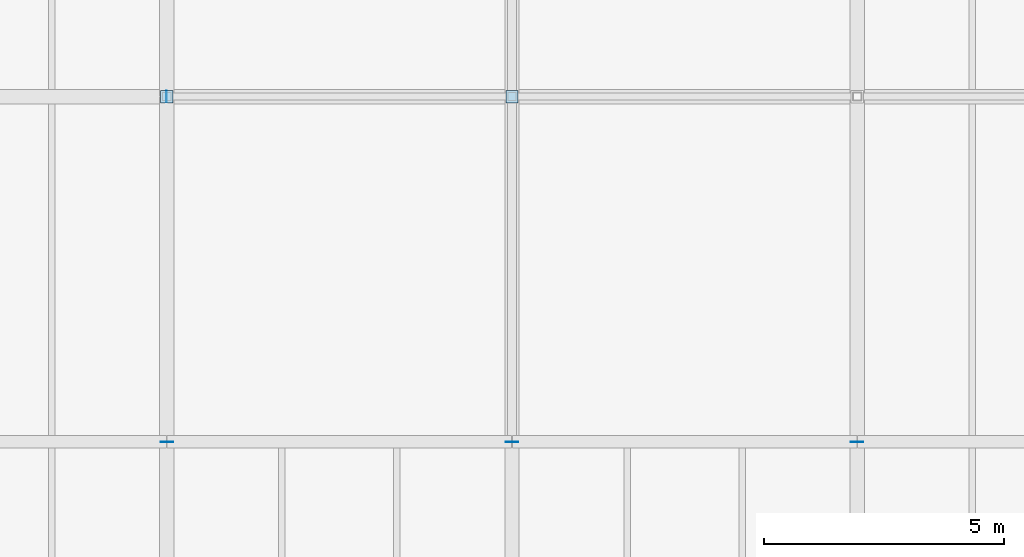
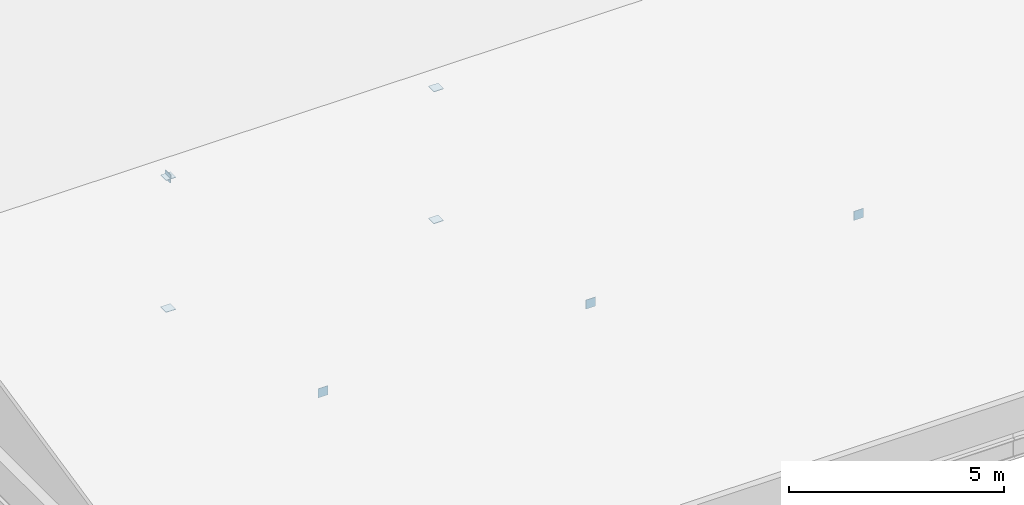
# One storey, part 39 of 66: 8 plates.
"""IFC4 building model written with IfcOpenShell, lengths in metres."""

import ifcopenshell
import ifcopenshell.guid

model = None  # the IFC model being written
_history = None  # IfcOwnerHistory: only IFC2X3 demands one
_inside = {}  # id of a spatial element -> (the spatial element, [elements in it])
_under = {}  # id of a project, library or spatial element -> (it, [spatial elements below it])
_declared = {}  # id of a project -> (the project, [libraries it declares])
_typed = {}  # id of a type object -> (the type object, [elements of that type])
_made_of = {}  # id of a material, layer set ... -> (it, [elements and type objects made of it])


def new_model(schema):
    """Start an empty IFC model of exactly this schema.

    Asked for "IFC4X3", IfcOpenShell would pick the latest addendum, in which some entities
    have other attributes; the version numbers below select the first issue.
    IFC2X3 requires an IfcOwnerHistory on every rooted entity: one is made here for all.
    """
    global model, _history
    if schema == "IFC4X3":
        model = ifcopenshell.file(schema_version=(4, 3, 0, 0))
    else:
        model = ifcopenshell.file(schema=schema)
    _inside.clear()
    _under.clear()
    _declared.clear()
    _typed.clear()
    _made_of.clear()
    _history = None
    if model.schema == "IFC2X3":
        org = make("IfcOrganization", Name="unknown")
        user = make(
            "IfcPersonAndOrganization",
            ThePerson=make("IfcPerson", FamilyName="unknown"),
            TheOrganization=org,
        )
        app = make(
            "IfcApplication",
            ApplicationDeveloper=org,
            Version="unknown",
            ApplicationFullName="unknown",
            ApplicationIdentifier="unknown",
        )
        _history = make(
            "IfcOwnerHistory",
            OwningUser=user,
            OwningApplication=app,
            ChangeAction="ADDED",
            CreationDate=0,
        )
    return model


def make(cls, **values):
    """One entity of the class cls with the attributes given. An attribute that is None is left unset."""
    return model.create_entity(
        cls, **{name: value for name, value in values.items() if value is not None}
    )


def rooted(cls, **values):
    """An entity with a GlobalId (a new one), such as an element, a storey or a relation."""
    return make(cls, GlobalId=ifcopenshell.guid.new(), OwnerHistory=_history, **values)


def si_unit(unit_type, name, prefix=None):
    """IfcSIUnit, for example si_unit("LENGTHUNIT", "METRE", prefix="MILLI")."""
    return make("IfcSIUnit", UnitType=unit_type, Prefix=prefix, Name=name)


def assignment(units):
    """IfcUnitAssignment: the units of a project."""
    return None if units is None else make("IfcUnitAssignment", Units=units)


def point(xyz):
    """IfcCartesianPoint."""
    return None if xyz is None else make("IfcCartesianPoint", Coordinates=xyz)


def direction(xyz):
    """IfcDirection."""
    return None if xyz is None else make("IfcDirection", DirectionRatios=xyz)


def frame(location, z_axis=None, x_axis=None):
    """IfcAxis2Placement3D, a coordinate frame: its origin and axes. An axis left out is left unset."""
    return make(
        "IfcAxis2Placement3D",
        Location=point(location),
        Axis=direction(z_axis),
        RefDirection=direction(x_axis),
    )


def frame_2d(location, x_axis=None):
    """IfcAxis2Placement2D, a coordinate frame in the plane: its origin and x axis."""
    return make(
        "IfcAxis2Placement2D", Location=point(location), RefDirection=direction(x_axis)
    )


def origin():
    """The frame at (0, 0, 0) with its axes left unset."""
    return frame((0.0, 0.0, 0.0))


def origin_2d():
    """The frame at (0, 0) in the plane with its x axis left unset."""
    return frame_2d((0.0, 0.0))


def place(relative_to, where):
    """IfcLocalPlacement: puts the frame where relative to a parent placement (None: the world)."""
    return make(
        "IfcLocalPlacement", PlacementRelTo=relative_to, RelativePlacement=where
    )


def context(
    kind, dimensions, precision=None, world=None, true_north=None, identifier=None
):
    """IfcGeometricRepresentationContext, for example the 3D "Model" context."""
    return make(
        "IfcGeometricRepresentationContext",
        ContextIdentifier=identifier,
        ContextType=kind,
        CoordinateSpaceDimension=dimensions,
        Precision=precision,
        WorldCoordinateSystem=world,
        TrueNorth=true_north,
    )


def subcontext(parent, identifier, kind, view, scale=None):
    """IfcGeometricRepresentationSubContext, for example "Body" below "Model"."""
    return make(
        "IfcGeometricRepresentationSubContext",
        ContextIdentifier=identifier,
        ContextType=kind,
        ParentContext=parent,
        TargetScale=scale,
        TargetView=view,
    )


def project(units=None, contexts=None):
    """IfcProject with its units and contexts."""
    return rooted(
        "IfcProject",
        Name="project",
        RepresentationContexts=contexts,
        UnitsInContext=assignment(units),
    )


def spatial(cls, under=None, at=None, **own):
    """A site, building, storey or space (cls), placed at a placement, below another one or the project."""
    s = rooted(cls, ObjectPlacement=at, **own)
    if under is not None:
        _under.setdefault(under.id(), (under, []))[1].append(s)
    return s


def profile(cls, at=None, kind="AREA", **sizes):
    """A parametric profile (cls). Its sizes go by their IFC names, for example OverallWidth=200.0."""
    return make(cls, ProfileType=kind, Position=at, **sizes)


def rectangle(**sizes):
    """IfcRectangleProfileDef."""
    return profile("IfcRectangleProfileDef", **sizes)


def extrude(swept, where, along, depth):
    """IfcExtrudedAreaSolid: the profile swept, set in the frame where, extruded along a direction by depth."""
    return make(
        "IfcExtrudedAreaSolid",
        SweptArea=swept,
        Position=where,
        ExtrudedDirection=direction(along),
        Depth=depth,
    )


def shape(context_of_items, identifier, shape_type, items):
    """IfcShapeRepresentation: the items that make up one representation, for example the "Body"."""
    return make(
        "IfcShapeRepresentation",
        ContextOfItems=context_of_items,
        RepresentationIdentifier=identifier,
        RepresentationType=shape_type,
        Items=items,
    )


def material(Name=None, Category=None):
    """IfcMaterial."""
    return make("IfcMaterial", Name=Name, Category=Category)


def layer(
    of_material, thickness, ventilated=None, Name=None, Category=None, Priority=None
):
    """IfcMaterialLayer: one layer of a wall or slab, of a material (None: an air gap)."""
    return make(
        "IfcMaterialLayer",
        Material=of_material,
        LayerThickness=thickness,
        IsVentilated=ventilated,
        Name=Name,
        Category=Category,
        Priority=Priority,
    )


def layer_set(layers, Name=None):
    """IfcMaterialLayerSet."""
    return make("IfcMaterialLayerSet", MaterialLayers=layers, LayerSetName=Name)


def made_of(thing, what):
    """Note that an element or type object is made of a material, layer set ...; save() writes the relation."""
    if what is not None:
        _made_of.setdefault(what.id(), (what, []))[1].append(thing)
    return thing


def type_object(cls, material=None, **own):
    """A type object (cls), such as IfcWallType, which elements share."""
    return made_of(rooted(cls, **own), material)


def element(
    cls,
    number,
    at=None,
    inside=None,
    cuts=None,
    type_object=None,
    material=None,
    context=None,
    identifier="Body",
    shape_type=None,
    held_by="IfcProductDefinitionShape",
    body=None,
    shapes=None,
    **own,
):
    """One element of the class cls, such as IfcWall. Its Tag is "e" and its number.

    at: its placement. inside: the storey or other place that contains it. cuts: it is an
    opening in that element (IfcRelVoidsElement). A single representation is given by context,
    identifier, shape_type and body (its items); several are given by shapes. held_by: the class
    of the entity that holds the representations. save() writes the other relations.
    """
    e = rooted(cls, Tag="e%d" % number, ObjectPlacement=at, **own)
    if body is not None:
        shapes = [shape(context, identifier, shape_type, body)]
    if shapes is not None:
        e.Representation = make(held_by, Representations=shapes)
    if inside is not None:
        _inside.setdefault(inside.id(), (inside, []))[1].append(e)
    if cuts is not None:
        rooted(
            "IfcRelVoidsElement", RelatingBuildingElement=cuts, RelatedOpeningElement=e
        )
    if type_object is not None:
        _typed.setdefault(type_object.id(), (type_object, []))[1].append(e)
    return made_of(e, material)


def aggregate(whole, parts):
    """IfcRelAggregates: a whole, such as a stair, and the parts it consists of."""
    return rooted("IfcRelAggregates", RelatingObject=whole, RelatedObjects=parts)


def save(model, path):
    """Write the relations noted so far, then the file.

    IfcRelAggregates (storeys below a building ...), IfcRelContainedInSpatialStructure (elements
    in a storey), IfcRelDefinesByType, IfcRelAssociatesMaterial and IfcRelDeclares: one each for
    every whole, place, type object, material and project.
    """
    for whole, parts in _under.values():
        aggregate(whole, parts)
    for where, things in _inside.values():
        rooted(
            "IfcRelContainedInSpatialStructure",
            RelatedElements=things,
            RelatingStructure=where,
        )
    for kind, things in _typed.values():
        rooted("IfcRelDefinesByType", RelatedObjects=things, RelatingType=kind)
    for what, things in _made_of.values():
        rooted("IfcRelAssociatesMaterial", RelatedObjects=things, RelatingMaterial=what)
    for by, libraries in _declared.values():
        rooted("IfcRelDeclares", RelatingContext=by, RelatedDefinitions=libraries)
    model.write(path)


model = new_model("IFC4")

# Units and contexts
model_context = context("Model", 3, precision=1e-05, world=origin(), true_north=direction((0.0, 1.0)))
body_context = subcontext(model_context, "Body", "Model", "MODEL_VIEW")
ifc_project = project(units=[si_unit("LENGTHUNIT", "METRE"), si_unit("AREAUNIT", "SQUARE_METRE"), si_unit("VOLUMEUNIT", "CUBIC_METRE"), si_unit("PLANEANGLEUNIT", "RADIAN"), si_unit("MASSUNIT", "GRAM", prefix="KILO")], contexts=[model_context])

# Site, building, storey
site_placement = place(None, origin())
site = spatial("IfcSite", under=ifc_project, at=site_placement, CompositionType="ELEMENT")
building_placement = place(site_placement, origin())
building = spatial("IfcBuilding", under=site, at=building_placement, Name="Narikvali Park Central Library", CompositionType="ELEMENT")
storey_placement = place(building_placement, frame((0.0, 0.0, 18.60009765625)))
storey = spatial("IfcBuildingStorey", under=building, at=storey_placement, Name="L04", CompositionType="ELEMENT", Elevation=18.60009765625)

# Plates
ifc_material = material(Name="Steel S355", Category="steel")
ifc_layer = layer(ifc_material, 0.013916015625, Name="Steel S355")
ifc_layer_set = layer_set([ifc_layer], Name="Steel S355")
plate_type = type_object("IfcPlateType", Name="Steel Hollow End Cap Plate 14", PredefinedType="SHEET", material=ifc_layer_set)
for number, where, z_axis, x_axis, name in (
    (1, (129.60009765625, 14.39990234375, -0.2509765625), (0.0, 0.0, 1.0), (1.0, 0.0, 0.0), "Hollow Section Steel End Cap V6-KPCAP-B-1"),
    (2, (129.60009765625, 14.39990234375, 3.4970703125), (0.0, 0.0, 1.0), (1.0, 0.0, 0.0), "Hollow Section Steel End Cap V6-KPCAP-T-1"),
):
    element("IfcPlate", number, at=place(storey_placement, frame(where, z_axis=z_axis, x_axis=x_axis)), inside=storey, type_object=plate_type, Name=name, PredefinedType="SHEET", context=body_context, shape_type="SweptSolid", body=[
        extrude(rectangle(XDim=0.260009765625, YDim=0.260009765625, at=origin_2d()), origin(), (0.0, 0.0, 1.0), 0.013916015625),
    ])
plate_1_placement = place(storey_placement, frame((129.60009765625, 7.196044921875, 1.6201171875), z_axis=(0.0, 0.0, 1.0), x_axis=(-1.0, 0.0, 0.0)))
element("IfcPlate", 3, at=plate_1_placement, inside=storey, type_object=plate_type, Name="Hollow Section Steel End Cap V6-CTCAP-S-1", PredefinedType="SHEET", context=body_context, shape_type="SweptSolid", body=[
    extrude(rectangle(XDim=0.260009765625, YDim=0.013916015625, at=origin_2d()), origin(), (0.0, 0.0, 1.0), 0.260009765625),
])
plate_2_placement = place(storey_placement, frame((129.595947265625, 14.39990234375, 3.3798828125), z_axis=(0.0, 0.0, 1.0), x_axis=(-1.0, 0.0, 0.0)))
element("IfcPlate", 4, at=plate_2_placement, inside=storey, type_object=plate_type, Name="Hollow Section Steel End Cap V6-RPCAP-W", PredefinedType="SHEET", context=body_context, shape_type="SweptSolid", body=[
    extrude(rectangle(XDim=0.013916015625, YDim=0.239990234375, at=origin_2d()), origin(), (0.0, 0.0, 1.0), 0.239990234375),
])
for number, where, z_axis, x_axis, name in (
    (5, (136.800048828125, 14.39990234375, -0.2509765625), (0.0, 0.0, 1.0), (1.0, 0.0, 0.0), "Hollow Section Steel End Cap V6-KPCAP-B-2"),
    (6, (136.800048828125, 14.39990234375, 3.4970703125), (0.0, 0.0, 1.0), (1.0, 0.0, 0.0), "Hollow Section Steel End Cap V6-KPCAP-T-2"),
):
    element("IfcPlate", number, at=place(storey_placement, frame(where, z_axis=z_axis, x_axis=x_axis)), inside=storey, type_object=plate_type, Name=name, PredefinedType="SHEET", context=body_context, shape_type="SweptSolid", body=[
        extrude(rectangle(XDim=0.260009765625, YDim=0.260009765625, at=origin_2d()), origin(), (0.0, 0.0, 1.0), 0.013916015625),
    ])
for number, where, z_axis, x_axis, name in (
    (7, (136.800048828125, 7.196044921875, 1.6201171875), (0.0, 0.0, 1.0), (-1.0, 0.0, 0.0), "Hollow Section Steel End Cap V6-CTCAP-S-2"),
    (8, (144.0, 7.196044921875, 1.6201171875), (0.0, 0.0, 1.0), (-1.0, 0.0, 0.0), "Hollow Section Steel End Cap V6-CTCAP-S-3"),
):
    element("IfcPlate", number, at=place(storey_placement, frame(where, z_axis=z_axis, x_axis=x_axis)), inside=storey, type_object=plate_type, Name=name, PredefinedType="SHEET", context=body_context, shape_type="SweptSolid", body=[
        extrude(rectangle(XDim=0.260009765625, YDim=0.013916015625, at=origin_2d()), origin(), (0.0, 0.0, 1.0), 0.260009765625),
    ])

save(model, "model.ifc")
